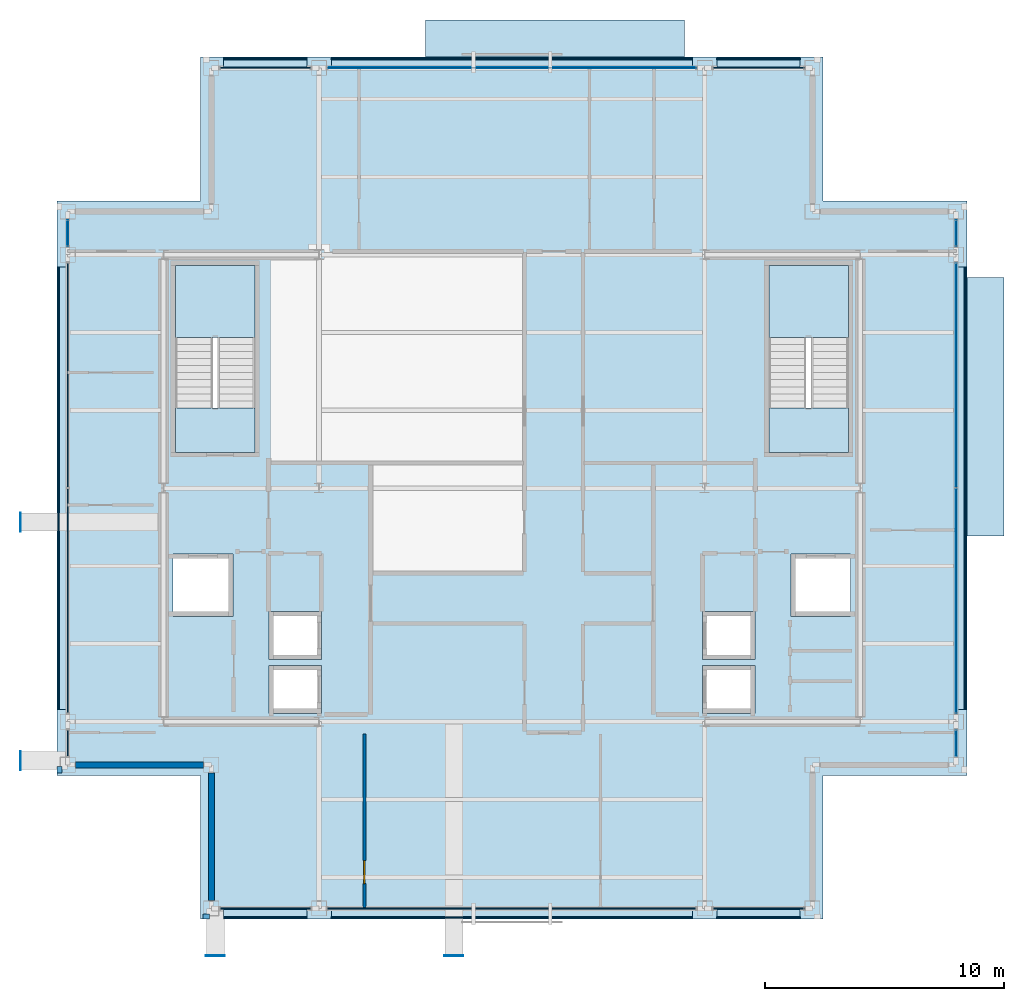
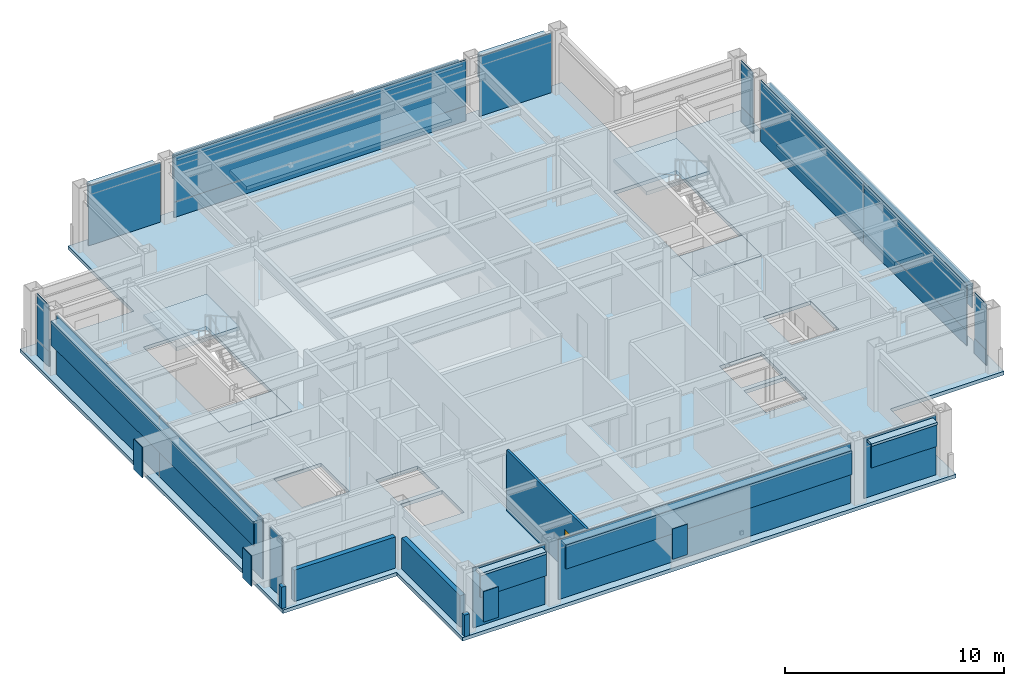
# One storey, part 16 of 20: 40 plates, 7 slabs, 5 walls, 1 door, 1 opening, 14 elements without a shape of their own.
"""IFC4 building model written with IfcOpenShell, lengths in metres."""

from ifc_helpers import new_model, si_unit, direction, frame, frame_2d, origin, origin_2d, place, context, subcontext, project, spatial, polyline, rectangle, outline, extrude, material, layer, layer_set, type_object, element, fill, aggregate, save


model = new_model("IFC4")

# Units and contexts
model_context = context("Model", 3, precision=1e-05, world=origin(), true_north=direction((0.0, 1.0)))
body_context = subcontext(model_context, "Body", "Model", "MODEL_VIEW")
ifc_project = project(units=[si_unit("LENGTHUNIT", "METRE"), si_unit("AREAUNIT", "SQUARE_METRE"), si_unit("VOLUMEUNIT", "CUBIC_METRE"), si_unit("PLANEANGLEUNIT", "RADIAN"), si_unit("MASSUNIT", "GRAM", prefix="KILO")], contexts=[model_context])

# Site, building, storey
site_placement = place(None, origin())
site = spatial("IfcSite", under=ifc_project, at=site_placement, CompositionType="ELEMENT")
building_placement = place(site_placement, origin())
building = spatial("IfcBuilding", under=site, at=building_placement, Name="Brelmoor Portico Tower", CompositionType="ELEMENT")
storey_placement = place(building_placement, frame((0.0, 0.0, 243.60009765625)))
storey = spatial("IfcBuildingStorey", under=building, at=storey_placement, Name="L64", CompositionType="ELEMENT", Elevation=243.60009765625)

# Plates
ifc_material_1 = material(Name="Steel Q355B", Category="steel")
ifc_layer_1 = layer(ifc_material_1, 0.044921875)
ifc_layer_set_1 = layer_set([ifc_layer_1], Name="Steel Q355B")
plate_type_1 = type_object("IfcPlateType", Name="PT-CAP-650", PredefinedType="SHEET", material=ifc_layer_set_1)
for number, where, z_axis, x_axis, name in (
    (1, (-12.3798828125, -19.52001953125, 1.7197265625), (0.0, 0.0, 1.0), (1.0, 0.0, 0.0), "L64 Picture-Frame Cantilever End Cap Plate PFB-01"),
    (2, (-2.419921875, -19.52001953125, 1.7197265625), (0.0, 0.0, 1.0), (1.0, 0.0, 0.0), "L64 Picture-Frame Cantilever End Cap Plate PFB-02"),
):
    element("IfcPlate", number, at=place(storey_placement, frame(where, z_axis=z_axis, x_axis=x_axis)), inside=storey, type_object=plate_type_1, Name=name, PredefinedType="SHEET", context=body_context, shape_type="SweptSolid", body=[
        extrude(rectangle(XDim=0.7900390625, YDim=0.0400390625, at=origin_2d()), origin(), (0.0, 0.0, 1.0), 1.699951171875),
    ])
for number, where, z_axis, x_axis, name in (
    (3, (-20.52001953125, -11.3798828125, 1.7197265625), (0.0, 0.0, 1.0), (1.0, 0.0, 0.0), "L64 Picture-Frame Cantilever End Cap Plate PFB-03"),
    (4, (-20.52001953125, -1.419921875, 1.7197265625), (0.0, 0.0, 1.0), (1.0, 0.0, 0.0), "L64 Picture-Frame Cantilever End Cap Plate PFB-04"),
):
    element("IfcPlate", number, at=place(storey_placement, frame(where, z_axis=z_axis, x_axis=x_axis)), inside=storey, type_object=plate_type_1, Name=name, PredefinedType="SHEET", context=body_context, shape_type="SweptSolid", body=[
        extrude(rectangle(XDim=0.0400390625, YDim=0.7900390625, at=origin_2d()), origin(), (0.0, 0.0, 1.0), 1.699951171875),
    ])

# Curtain wall, plate
ifc_material_2 = material(Name="Anodised Aluminium Alloy 6063-T6", Category="aluminium")
ifc_layer_2 = layer(ifc_material_2, 0.179931640625)
ifc_layer_set_2 = layer_set([ifc_layer_2], Name="Anodised Aluminium Alloy 6063-T6")
curtain_wall_type_1 = type_object("IfcCurtainWallType", Name="CW-TOWER-Z4", PredefinedType="NOTDEFINED", material=ifc_layer_set_2)
curtain_wall_1_placement = place(storey_placement, origin())
curtain_wall_1 = element("IfcCurtainWall", 5, at=curtain_wall_1_placement, inside=storey, type_object=curtain_wall_type_1, Name="L64 Curtain Wall CW-L64-02-2", PredefinedType="NOTDEFINED")
ifc_material_3 = material(Name="Double-Silver Low-E Insulated Glazing", Category="glass")
ifc_layer_3 = layer(ifc_material_3, 0.035888671875)
ifc_layer_set_3 = layer_set([ifc_layer_3], Name="Double-Silver Low-E Insulated Glazing")
plate_type_2 = type_object("IfcPlateType", Name="PT-CW-GLASS", PredefinedType="CURTAIN_PANEL", material=ifc_layer_set_3)
plate_1_placement = place(storey_placement, frame((0.0, 17.550048828125, 0.85009765625), z_axis=(0.0, 0.0, 1.0), x_axis=(1.0, 0.0, 0.0)))
plate_1 = element("IfcPlate", 6, at=plate_1_placement, type_object=plate_type_2, Name="CW-L64-02-2 Vision Glass Panel 00", PredefinedType="CURTAIN_PANEL", context=body_context, shape_type="SweptSolid", body=[
    extrude(rectangle(XDim=15.39990234375, YDim=0.035888671875, at=origin_2d()), origin(), (0.0, 0.0, 1.0), 2.550048828125),
])

curtain_wall_2_placement = place(storey_placement, origin())
curtain_wall_2 = element("IfcCurtainWall", 7, at=curtain_wall_2_placement, inside=storey, type_object=curtain_wall_type_1, Name="L64 Curtain Wall CW-L64-03-3", PredefinedType="NOTDEFINED")
plate_2_placement = place(storey_placement, frame((-18.550048828125, 10.64990234375, 0.85009765625), z_axis=(0.0, 0.0, 1.0), x_axis=(0.0, 1.0, 0.0)))
plate_2 = element("IfcPlate", 8, at=plate_2_placement, type_object=plate_type_2, Name="CW-L64-03-3 Vision Glass Panel 00", PredefinedType="CURTAIN_PANEL", context=body_context, shape_type="SweptSolid", body=[
    extrude(rectangle(XDim=1.10009765625, YDim=0.035888671875, at=origin_2d()), origin(), (0.0, 0.0, 1.0), 2.550048828125),
])

curtain_wall_3_placement = place(storey_placement, origin())
curtain_wall_3 = element("IfcCurtainWall", 9, at=curtain_wall_3_placement, inside=storey, type_object=curtain_wall_type_1, Name="L64 Curtain Wall CW-L64-04-1", PredefinedType="NOTDEFINED")
plate_3_placement = place(storey_placement, frame((18.550048828125, -10.64990234375, 0.85009765625), z_axis=(0.0, 0.0, 1.0), x_axis=(0.0, 1.0, 0.0)))
plate_3 = element("IfcPlate", 10, at=plate_3_placement, type_object=plate_type_2, Name="CW-L64-04-1 Vision Glass Panel 00", PredefinedType="CURTAIN_PANEL", context=body_context, shape_type="SweptSolid", body=[
    extrude(rectangle(XDim=1.10009765625, YDim=0.035888671875, at=origin_2d()), origin(), (0.0, 0.0, 1.0), 2.550048828125),
])

# Curtain wall, plates
curtain_wall_4_placement = place(storey_placement, origin())
curtain_wall_4 = element("IfcCurtainWall", 11, at=curtain_wall_4_placement, inside=storey, type_object=curtain_wall_type_1, Name="L64 Curtain Wall CW-L64-04-2", PredefinedType="NOTDEFINED")
plate_4_placement = place(storey_placement, frame((18.550048828125, -4.70751953125, 0.85009765625), z_axis=(0.0, 0.0, 1.0), x_axis=(0.0, 1.0, 0.0)))
plate_4 = element("IfcPlate", 12, at=plate_4_placement, type_object=plate_type_2, Name="CW-L64-04-2 Vision Glass Panel 00", PredefinedType="CURTAIN_PANEL", context=body_context, shape_type="SweptSolid", body=[
    extrude(rectangle(XDim=9.385009765625, YDim=0.035888671875, at=origin_2d()), origin(), (0.0, 0.0, 1.0), 2.550048828125),
])
plate_5_placement = place(storey_placement, frame((18.550048828125, 4.70751953125, 0.85009765625), z_axis=(0.0, 0.0, 1.0), x_axis=(0.0, 1.0, 0.0)))
plate_5 = element("IfcPlate", 13, at=plate_5_placement, type_object=plate_type_2, Name="CW-L64-04-2 Vision Glass Panel 01", PredefinedType="CURTAIN_PANEL", context=body_context, shape_type="SweptSolid", body=[
    extrude(rectangle(XDim=9.385009765625, YDim=0.035888671875, at=origin_2d()), origin(), (0.0, 0.0, 1.0), 2.550048828125),
])

# Curtain wall, plate
curtain_wall_5_placement = place(storey_placement, origin())
curtain_wall_5 = element("IfcCurtainWall", 14, at=curtain_wall_5_placement, inside=storey, type_object=curtain_wall_type_1, Name="L64 Curtain Wall CW-L64-04-3", PredefinedType="NOTDEFINED")
plate_6_placement = place(storey_placement, frame((18.550048828125, 10.64990234375, 0.85009765625), z_axis=(0.0, 0.0, 1.0), x_axis=(0.0, 1.0, 0.0)))
plate_6 = element("IfcPlate", 15, at=plate_6_placement, type_object=plate_type_2, Name="CW-L64-04-3 Vision Glass Panel 00", PredefinedType="CURTAIN_PANEL", context=body_context, shape_type="SweptSolid", body=[
    extrude(rectangle(XDim=1.10009765625, YDim=0.035888671875, at=origin_2d()), origin(), (0.0, 0.0, 1.0), 2.550048828125),
])

ifc_layer_4 = layer(ifc_material_2, 0.179931640625)
ifc_layer_set_4 = layer_set([ifc_layer_4], Name="Anodised Aluminium Alloy 6063-T6")
curtain_wall_type_2 = type_object("IfcCurtainWallType", Name="CW-TOWER-Z4-XB", PredefinedType="NOTDEFINED", material=ifc_layer_set_4)
curtain_wall_6_placement = place(storey_placement, origin())
curtain_wall_6 = element("IfcCurtainWall", 16, at=curtain_wall_6_placement, inside=storey, type_object=curtain_wall_type_2, Name="L64 Curtain Wall CW-L64-01-1", PredefinedType="NOTDEFINED")
ifc_material_4 = material(Name="Pale Champagne Anodised Aluminium Panel", Category="aluminium")
ifc_layer_5 = layer(ifc_material_4, 0.050048828125)
ifc_layer_set_5 = layer_set([ifc_layer_5], Name="Pale Champagne Anodised Aluminium Panel")
plate_type_3 = type_object("IfcPlateType", Name="PT-CW-SPANDREL", PredefinedType="SHEET", material=ifc_layer_set_5)
plate_7_placement = place(storey_placement, frame((-10.300048828125, -17.550048828125, 0.0), z_axis=(0.0, 0.0, 1.0), x_axis=(1.0, 0.0, 0.0)))
plate_7 = element("IfcPlate", 17, at=plate_7_placement, type_object=plate_type_3, Name="CW-L64-01-1 Spandrel Panel 00", PredefinedType="SHEET", context=body_context, shape_type="SweptSolid", body=[
    extrude(rectangle(XDim=3.800048828125, YDim=0.050048828125, at=origin_2d()), origin(), (0.0, 0.0, 1.0), 3.33740234375),
])
aggregate(curtain_wall_6, [plate_7])

curtain_wall_7_placement = place(storey_placement, origin())
curtain_wall_7 = element("IfcCurtainWall", 18, at=curtain_wall_7_placement, inside=storey, type_object=curtain_wall_type_2, Name="L64 Curtain Wall CW-L64-01-2", PredefinedType="NOTDEFINED")
plate_8_placement = place(storey_placement, frame((0.0, -17.550048828125, 0.0), z_axis=(0.0, 0.0, 1.0), x_axis=(1.0, 0.0, 0.0)))
plate_8 = element("IfcPlate", 19, at=plate_8_placement, type_object=plate_type_3, Name="CW-L64-01-2 Spandrel Panel 00", PredefinedType="SHEET", context=body_context, shape_type="SweptSolid", body=[
    extrude(rectangle(XDim=15.39990234375, YDim=0.050048828125, at=origin_2d()), origin(), (0.0, 0.0, 1.0), 3.33740234375),
])
aggregate(curtain_wall_7, [plate_8])

curtain_wall_8_placement = place(storey_placement, origin())
curtain_wall_8 = element("IfcCurtainWall", 20, at=curtain_wall_8_placement, inside=storey, type_object=curtain_wall_type_2, Name="L64 Curtain Wall CW-L64-01-3", PredefinedType="NOTDEFINED")
plate_9_placement = place(storey_placement, frame((10.300048828125, -17.550048828125, 0.0), z_axis=(0.0, 0.0, 1.0), x_axis=(1.0, 0.0, 0.0)))
plate_9 = element("IfcPlate", 21, at=plate_9_placement, type_object=plate_type_3, Name="CW-L64-01-3 Spandrel Panel 00", PredefinedType="SHEET", context=body_context, shape_type="SweptSolid", body=[
    extrude(rectangle(XDim=3.800048828125, YDim=0.050048828125, at=origin_2d()), origin(), (0.0, 0.0, 1.0), 3.33740234375),
])
aggregate(curtain_wall_8, [plate_9])

curtain_wall_9_placement = place(storey_placement, origin())
curtain_wall_9 = element("IfcCurtainWall", 22, at=curtain_wall_9_placement, inside=storey, type_object=curtain_wall_type_2, Name="L64 Curtain Wall CW-L64-02-1", PredefinedType="NOTDEFINED")
plate_10_placement = place(storey_placement, frame((-10.300048828125, 17.550048828125, 0.0), z_axis=(0.0, 0.0, 1.0), x_axis=(1.0, 0.0, 0.0)))
plate_10 = element("IfcPlate", 23, at=plate_10_placement, type_object=plate_type_3, Name="CW-L64-02-1 Spandrel Panel 00", PredefinedType="SHEET", context=body_context, shape_type="SweptSolid", body=[
    extrude(rectangle(XDim=3.800048828125, YDim=0.050048828125, at=origin_2d()), origin(), (0.0, 0.0, 1.0), 3.33740234375),
])
aggregate(curtain_wall_9, [plate_10])

# Plate
plate_11_placement = place(storey_placement, frame((0.0, 17.550048828125, -0.000244140625), z_axis=(0.0, 0.0, 1.0), x_axis=(1.0, 0.0, 0.0)))
plate_11 = element("IfcPlate", 24, at=plate_11_placement, type_object=plate_type_3, Name="CW-L64-02-2 Spandrel Panel 00", PredefinedType="SHEET", context=body_context, shape_type="SweptSolid", body=[
    extrude(rectangle(XDim=15.39990234375, YDim=0.050048828125, at=origin_2d()), origin(), (0.0, 0.0, 1.0), 0.85009765625),
])

aggregate(curtain_wall_1, [plate_11, plate_1])

# Curtain wall, plate
curtain_wall_10_placement = place(storey_placement, origin())
curtain_wall_10 = element("IfcCurtainWall", 25, at=curtain_wall_10_placement, inside=storey, type_object=curtain_wall_type_2, Name="L64 Curtain Wall CW-L64-02-3", PredefinedType="NOTDEFINED")
plate_12_placement = place(storey_placement, frame((10.300048828125, 17.550048828125, 0.0), z_axis=(0.0, 0.0, 1.0), x_axis=(1.0, 0.0, 0.0)))
plate_12 = element("IfcPlate", 26, at=plate_12_placement, type_object=plate_type_3, Name="CW-L64-02-3 Spandrel Panel 00", PredefinedType="SHEET", context=body_context, shape_type="SweptSolid", body=[
    extrude(rectangle(XDim=3.800048828125, YDim=0.050048828125, at=origin_2d()), origin(), (0.0, 0.0, 1.0), 3.33740234375),
])
aggregate(curtain_wall_10, [plate_12])

curtain_wall_11_placement = place(storey_placement, origin())
curtain_wall_11 = element("IfcCurtainWall", 27, at=curtain_wall_11_placement, inside=storey, type_object=curtain_wall_type_2, Name="L64 Curtain Wall CW-L64-03-1", PredefinedType="NOTDEFINED")
plate_13_placement = place(storey_placement, frame((-18.550048828125, -10.64990234375, 0.0), z_axis=(0.0, 0.0, 1.0), x_axis=(0.0, 1.0, 0.0)))
plate_13 = element("IfcPlate", 28, at=plate_13_placement, type_object=plate_type_3, Name="CW-L64-03-1 Spandrel Panel 00", PredefinedType="SHEET", context=body_context, shape_type="SweptSolid", body=[
    extrude(rectangle(XDim=1.10009765625, YDim=0.050048828125, at=origin_2d()), origin(), (0.0, 0.0, 1.0), 3.33740234375),
])
aggregate(curtain_wall_11, [plate_13])

# Curtain wall, plates
curtain_wall_12_placement = place(storey_placement, origin())
curtain_wall_12 = element("IfcCurtainWall", 29, at=curtain_wall_12_placement, inside=storey, type_object=curtain_wall_type_2, Name="L64 Curtain Wall CW-L64-03-2", PredefinedType="NOTDEFINED")
plate_14_placement = place(storey_placement, frame((-18.550048828125, -4.70751953125, 0.0), z_axis=(0.0, 0.0, 1.0), x_axis=(0.0, 1.0, 0.0)))
plate_14 = element("IfcPlate", 30, at=plate_14_placement, type_object=plate_type_3, Name="CW-L64-03-2 Spandrel Panel 00", PredefinedType="SHEET", context=body_context, shape_type="SweptSolid", body=[
    extrude(rectangle(XDim=9.385009765625, YDim=0.050048828125, at=origin_2d()), origin(), (0.0, 0.0, 1.0), 3.33740234375),
])
plate_15_placement = place(storey_placement, frame((-18.550048828125, 4.70751953125, 0.0), z_axis=(0.0, 0.0, 1.0), x_axis=(0.0, 1.0, 0.0)))
plate_15 = element("IfcPlate", 31, at=plate_15_placement, type_object=plate_type_3, Name="CW-L64-03-2 Spandrel Panel 01", PredefinedType="SHEET", context=body_context, shape_type="SweptSolid", body=[
    extrude(rectangle(XDim=9.385009765625, YDim=0.050048828125, at=origin_2d()), origin(), (0.0, 0.0, 1.0), 3.33740234375),
])
aggregate(curtain_wall_12, [plate_14, plate_15])

# Plate
plate_16_placement = place(storey_placement, frame((-18.550048828125, 10.64990234375, -0.000244140625), z_axis=(0.0, 0.0, 1.0), x_axis=(0.0, 1.0, 0.0)))
plate_16 = element("IfcPlate", 32, at=plate_16_placement, type_object=plate_type_3, Name="CW-L64-03-3 Spandrel Panel 00", PredefinedType="SHEET", context=body_context, shape_type="SweptSolid", body=[
    extrude(rectangle(XDim=1.10009765625, YDim=0.050048828125, at=origin_2d()), origin(), (0.0, 0.0, 1.0), 0.85009765625),
])

aggregate(curtain_wall_2, [plate_16, plate_2])

plate_17_placement = place(storey_placement, frame((18.550048828125, -10.64990234375, -0.000244140625), z_axis=(0.0, 0.0, 1.0), x_axis=(0.0, 1.0, 0.0)))
plate_17 = element("IfcPlate", 33, at=plate_17_placement, type_object=plate_type_3, Name="CW-L64-04-1 Spandrel Panel 00", PredefinedType="SHEET", context=body_context, shape_type="SweptSolid", body=[
    extrude(rectangle(XDim=1.10009765625, YDim=0.050048828125, at=origin_2d()), origin(), (0.0, 0.0, 1.0), 0.85009765625),
])

aggregate(curtain_wall_3, [plate_17, plate_3])

plate_18_placement = place(storey_placement, frame((18.550048828125, -4.70751953125, -0.000244140625), z_axis=(0.0, 0.0, 1.0), x_axis=(0.0, 1.0, 0.0)))
plate_18 = element("IfcPlate", 34, at=plate_18_placement, type_object=plate_type_3, Name="CW-L64-04-2 Spandrel Panel 00", PredefinedType="SHEET", context=body_context, shape_type="SweptSolid", body=[
    extrude(rectangle(XDim=9.385009765625, YDim=0.050048828125, at=origin_2d()), origin(), (0.0, 0.0, 1.0), 0.85009765625),
])

plate_19_placement = place(storey_placement, frame((18.550048828125, 4.70751953125, -0.000244140625), z_axis=(0.0, 0.0, 1.0), x_axis=(0.0, 1.0, 0.0)))
plate_19 = element("IfcPlate", 35, at=plate_19_placement, type_object=plate_type_3, Name="CW-L64-04-2 Spandrel Panel 01", PredefinedType="SHEET", context=body_context, shape_type="SweptSolid", body=[
    extrude(rectangle(XDim=9.385009765625, YDim=0.050048828125, at=origin_2d()), origin(), (0.0, 0.0, 1.0), 0.85009765625),
])

aggregate(curtain_wall_4, [plate_18, plate_4, plate_19, plate_5])

plate_20_placement = place(storey_placement, frame((18.550048828125, 10.64990234375, -0.000244140625), z_axis=(0.0, 0.0, 1.0), x_axis=(0.0, 1.0, 0.0)))
plate_20 = element("IfcPlate", 36, at=plate_20_placement, type_object=plate_type_3, Name="CW-L64-04-3 Spandrel Panel 00", PredefinedType="SHEET", context=body_context, shape_type="SweptSolid", body=[
    extrude(rectangle(XDim=1.10009765625, YDim=0.050048828125, at=origin_2d()), origin(), (0.0, 0.0, 1.0), 0.85009765625),
])

aggregate(curtain_wall_5, [plate_20, plate_6])

# Plates
ifc_material_5 = material(Name="Powder-Coated Aluminium Shuttered Jalousie Louvre", Category="aluminium")
ifc_layer_6 = layer(ifc_material_5, 0.06005859375)
ifc_layer_set_6 = layer_set([ifc_layer_6], Name="Powder-Coated Aluminium Shuttered Jalousie Louvre")
plate_type_4 = type_object("IfcPlateType", Name="PT-JALOUSIE-SHUTTER", PredefinedType="SHEET", material=ifc_layer_set_6)
plate_21_placement = place(storey_placement, frame((-10.300048828125, -17.929931640625, 1.8740234375), z_axis=(0.0, 0.0, 1.0), x_axis=(1.0, 0.0, 0.0)))
element("IfcPlate", 37, at=plate_21_placement, inside=storey, type_object=plate_type_4, Name="CW-L64-01-1 Perforated Jalousie Solar Screen", PredefinedType="SHEET", context=body_context, shape_type="SweptSolid", body=[
    extrude(rectangle(XDim=3.469970703125, YDim=0.06494140625, at=origin_2d()), origin(), (0.0, 0.0, 1.0), 1.325927734375),
])
plate_22_placement = place(storey_placement, frame((0.0, -17.929931640625, 1.8740234375), z_axis=(0.0, 0.0, 1.0), x_axis=(1.0, 0.0, 0.0)))
element("IfcPlate", 38, at=plate_22_placement, inside=storey, type_object=plate_type_4, Name="CW-L64-01-2 Perforated Jalousie Solar Screen", PredefinedType="SHEET", context=body_context, shape_type="SweptSolid", body=[
    extrude(rectangle(XDim=15.070068359375, YDim=0.06494140625, at=origin_2d()), origin(), (0.0, 0.0, 1.0), 1.325927734375),
])
for number, where, z_axis, x_axis, name in (
    (39, (10.300048828125, -17.929931640625, 1.8740234375), (0.0, 0.0, 1.0), (1.0, 0.0, 0.0), "CW-L64-01-3 Perforated Jalousie Solar Screen"),
    (40, (-10.300048828125, 17.929931640625, 1.8740234375), (0.0, 0.0, 1.0), (1.0, 0.0, 0.0), "CW-L64-02-1 Perforated Jalousie Solar Screen"),
):
    element("IfcPlate", number, at=place(storey_placement, frame(where, z_axis=z_axis, x_axis=x_axis)), inside=storey, type_object=plate_type_4, Name=name, PredefinedType="SHEET", context=body_context, shape_type="SweptSolid", body=[
        extrude(rectangle(XDim=3.469970703125, YDim=0.06494140625, at=origin_2d()), origin(), (0.0, 0.0, 1.0), 1.325927734375),
    ])
plate_23_placement = place(storey_placement, frame((0.0, 17.929931640625, 1.8740234375), z_axis=(0.0, 0.0, 1.0), x_axis=(1.0, 0.0, 0.0)))
element("IfcPlate", 41, at=plate_23_placement, inside=storey, type_object=plate_type_4, Name="CW-L64-02-2 Perforated Jalousie Solar Screen", PredefinedType="SHEET", context=body_context, shape_type="SweptSolid", body=[
    extrude(rectangle(XDim=15.070068359375, YDim=0.06494140625, at=origin_2d()), origin(), (0.0, 0.0, 1.0), 1.325927734375),
])
plate_24_placement = place(storey_placement, frame((10.300048828125, 17.929931640625, 1.8740234375), z_axis=(0.0, 0.0, 1.0), x_axis=(1.0, 0.0, 0.0)))
element("IfcPlate", 42, at=plate_24_placement, inside=storey, type_object=plate_type_4, Name="CW-L64-02-3 Perforated Jalousie Solar Screen", PredefinedType="SHEET", context=body_context, shape_type="SweptSolid", body=[
    extrude(rectangle(XDim=3.469970703125, YDim=0.06494140625, at=origin_2d()), origin(), (0.0, 0.0, 1.0), 1.325927734375),
])
for number, where, z_axis, x_axis, name in (
    (43, (-18.929931640625, 0.0, 1.8740234375), (0.0, 0.0, 1.0), (0.0, 1.0, 0.0), "CW-L64-03-2 Perforated Jalousie Solar Screen"),
    (44, (18.929931640625, 0.0, 1.8740234375), (0.0, 0.0, 1.0), (0.0, 1.0, 0.0), "CW-L64-04-2 Perforated Jalousie Solar Screen"),
):
    element("IfcPlate", number, at=place(storey_placement, frame(where, z_axis=z_axis, x_axis=x_axis)), inside=storey, type_object=plate_type_4, Name=name, PredefinedType="SHEET", context=body_context, shape_type="SweptSolid", body=[
        extrude(rectangle(XDim=18.469970703125, YDim=0.06494140625, at=origin_2d()), origin(), (0.0, 0.0, 1.0), 1.325927734375),
    ])
ifc_material_6 = material(Name="Pale Champagne Perforated Aluminium Solar Screen", Category="aluminium")
ifc_layer_7 = layer(ifc_material_6, 0.054931640625)
ifc_layer_set_7 = layer_set([ifc_layer_7], Name="Pale Champagne Perforated Aluminium Solar Screen")
plate_type_5 = type_object("IfcPlateType", Name="PT-SOLAR-LOUVRE", PredefinedType="SHEET", material=ifc_layer_set_7)
plate_25_placement = place(storey_placement, frame((-10.300048828125, -17.760009765625, 3.08984375), z_axis=(0.0, 0.0, 1.0), x_axis=(1.0, 0.0, 0.0)))
element("IfcPlate", 45, at=plate_25_placement, inside=storey, type_object=plate_type_5, Name="CW-L64-01-1 Caribbean Brise-Soleil Solar Screen", PredefinedType="SHEET", context=body_context, shape_type="SweptSolid", body=[
    extrude(rectangle(XDim=3.469970703125, YDim=0.4599609375, at=origin_2d()), origin(), (0.0, 0.0, 1.0), 0.139892578125),
])
plate_26_placement = place(storey_placement, frame((0.0, -17.760009765625, 3.08984375), z_axis=(0.0, 0.0, 1.0), x_axis=(1.0, 0.0, 0.0)))
element("IfcPlate", 46, at=plate_26_placement, inside=storey, type_object=plate_type_5, Name="CW-L64-01-2 Caribbean Brise-Soleil Solar Screen", PredefinedType="SHEET", context=body_context, shape_type="SweptSolid", body=[
    extrude(rectangle(XDim=15.070068359375, YDim=0.4599609375, at=origin_2d()), origin(), (0.0, 0.0, 1.0), 0.139892578125),
])
for number, where, z_axis, x_axis, name in (
    (47, (10.300048828125, -17.760009765625, 3.08984375), (0.0, 0.0, 1.0), (1.0, 0.0, 0.0), "CW-L64-01-3 Caribbean Brise-Soleil Solar Screen"),
    (48, (-10.300048828125, 17.760009765625, 3.08984375), (0.0, 0.0, 1.0), (1.0, 0.0, 0.0), "CW-L64-02-1 Caribbean Brise-Soleil Solar Screen"),
):
    element("IfcPlate", number, at=place(storey_placement, frame(where, z_axis=z_axis, x_axis=x_axis)), inside=storey, type_object=plate_type_5, Name=name, PredefinedType="SHEET", context=body_context, shape_type="SweptSolid", body=[
        extrude(rectangle(XDim=3.469970703125, YDim=0.4599609375, at=origin_2d()), origin(), (0.0, 0.0, 1.0), 0.139892578125),
    ])
plate_27_placement = place(storey_placement, frame((0.0, 17.760009765625, 3.08984375), z_axis=(0.0, 0.0, 1.0), x_axis=(1.0, 0.0, 0.0)))
element("IfcPlate", 49, at=plate_27_placement, inside=storey, type_object=plate_type_5, Name="CW-L64-02-2 Caribbean Brise-Soleil Solar Screen", PredefinedType="SHEET", context=body_context, shape_type="SweptSolid", body=[
    extrude(rectangle(XDim=15.070068359375, YDim=0.4599609375, at=origin_2d()), origin(), (0.0, 0.0, 1.0), 0.139892578125),
])
plate_28_placement = place(storey_placement, frame((10.300048828125, 17.760009765625, 3.08984375), z_axis=(0.0, 0.0, 1.0), x_axis=(1.0, 0.0, 0.0)))
element("IfcPlate", 50, at=plate_28_placement, inside=storey, type_object=plate_type_5, Name="CW-L64-02-3 Caribbean Brise-Soleil Solar Screen", PredefinedType="SHEET", context=body_context, shape_type="SweptSolid", body=[
    extrude(rectangle(XDim=3.469970703125, YDim=0.4599609375, at=origin_2d()), origin(), (0.0, 0.0, 1.0), 0.139892578125),
])
for number, where, z_axis, x_axis, name in (
    (51, (-18.760009765625, 0.0, 3.08984375), (0.0, 0.0, 1.0), (0.0, 1.0, 0.0), "CW-L64-03-2 Caribbean Brise-Soleil Solar Screen"),
    (52, (18.760009765625, 0.0, 3.08984375), (0.0, 0.0, 1.0), (0.0, 1.0, 0.0), "CW-L64-04-2 Caribbean Brise-Soleil Solar Screen"),
):
    element("IfcPlate", number, at=place(storey_placement, frame(where, z_axis=z_axis, x_axis=x_axis)), inside=storey, type_object=plate_type_5, Name=name, PredefinedType="SHEET", context=body_context, shape_type="SweptSolid", body=[
        extrude(rectangle(XDim=18.469970703125, YDim=0.4599609375, at=origin_2d()), origin(), (0.0, 0.0, 1.0), 0.139892578125),
    ])

# Slab
ifc_material_7 = material(Name="Concrete C40", Category="concrete")
ifc_layer_8 = layer(ifc_material_7, 0.199951171875)
ifc_layer_set_8 = layer_set([ifc_layer_8], Name="Concrete C40")
slab_type_1 = type_object("IfcSlabType", Name="SL-FLOOR-200", PredefinedType="FLOOR", material=ifc_layer_set_8)
slab_1_placement = place(storey_placement, frame((0.0, 0.0, -0.2001953125)))
element("IfcSlab", 53, at=slab_1_placement, inside=storey, type_object=slab_type_1, Name="L64 Main Structural Floor Slab", PredefinedType="FLOOR", context=body_context, shape_type="SweptSolid", body=[
    extrude(outline(polyline([(-13.0, -18.0), (13.0, -18.0), (13.0, -12.0), (19.0, -12.0), (19.0, 12.0), (13.0, 12.0), (13.0, 18.0), (-13.0, 18.0), (-13.0, 12.0), (-19.0, 12.0), (-19.0, -12.0), (-13.0, -12.0), (-13.0, -18.0)]), holes=[polyline([(-10.72998046875, 1.5), (-10.72998046875, 9.300048828125), (-14.050048828125, 9.300048828125), (-14.050048828125, 1.5), (-10.72998046875, 1.5)]), polyline([(14.050048828125, 1.5), (14.050048828125, 9.300048828125), (10.72998046875, 9.300048828125), (10.72998046875, 1.5), (14.050048828125, 1.5)]), polyline([(-10.14990234375, -9.39990234375), (-7.949951171875, -9.39990234375), (-7.949951171875, -7.39990234375), (-10.14990234375, -7.39990234375), (-10.14990234375, -9.39990234375)]), polyline([(-10.14990234375, -7.14990234375), (-7.949951171875, -7.14990234375), (-7.949951171875, -5.14990234375), (-10.14990234375, -5.14990234375), (-10.14990234375, -7.14990234375)]), polyline([(7.949951171875, -9.39990234375), (10.14990234375, -9.39990234375), (10.14990234375, -7.39990234375), (7.949951171875, -7.39990234375), (7.949951171875, -9.39990234375)]), polyline([(7.949951171875, -7.14990234375), (10.14990234375, -7.14990234375), (10.14990234375, -5.14990234375), (7.949951171875, -5.14990234375), (7.949951171875, -7.14990234375)]), polyline([(-14.14990234375, -5.35009765625), (-11.64990234375, -5.35009765625), (-11.64990234375, -2.75), (-14.14990234375, -2.75), (-14.14990234375, -5.35009765625)]), polyline([(11.64990234375, -5.35009765625), (14.14990234375, -5.35009765625), (14.14990234375, -2.75), (11.64990234375, -2.75), (11.64990234375, -5.35009765625)])]), origin(), (0.0, 0.0, 1.0), 0.2001953125),
])

# Stair, slab
stair_type_1 = type_object("IfcStairType", Name="ST-CORE-W", PredefinedType="HALF_TURN_STAIR", material=ifc_material_7)
stair_1_placement = place(storey_placement, origin())
stair_1 = element("IfcStair", 54, at=stair_1_placement, inside=storey, type_object=stair_type_1, Name="L64 Protected Core Exit Stair ST-W", PredefinedType="HALF_TURN_STAIR")
ifc_layer_9 = layer(ifc_material_7, 0.179931640625)
ifc_layer_set_9 = layer_set([ifc_layer_9], Name="Concrete C40")
slab_type_2 = type_object("IfcSlabType", Name="SL-LANDING-180", PredefinedType="LANDING", material=ifc_layer_set_9)
slab_2_placement = place(storey_placement, frame((0.0, 0.0, 1.599853515625)))
slab_2 = element("IfcSlab", 55, at=slab_2_placement, type_object=slab_type_2, Name="ST-W landing 1", PredefinedType="LANDING", context=body_context, shape_type="SweptSolid", body=[
    extrude(outline(polyline([(-10.72998046875, 6.300048828125), (-10.72998046875, 9.300048828125), (-14.050048828125, 9.300048828125), (-14.050048828125, 6.300048828125), (-10.72998046875, 6.300048828125)])), origin(), (0.0, 0.0, 1.0), 0.199951171875),
])
aggregate(stair_1, [slab_2])

stair_type_2 = type_object("IfcStairType", Name="ST-CORE-E", PredefinedType="HALF_TURN_STAIR", material=ifc_material_7)
stair_2_placement = place(storey_placement, origin())
stair_2 = element("IfcStair", 56, at=stair_2_placement, inside=storey, type_object=stair_type_2, Name="L64 Protected Core Exit Stair ST-E", PredefinedType="HALF_TURN_STAIR")
slab_3_placement = place(storey_placement, frame((0.0, 0.0, 1.599853515625)))
slab_3 = element("IfcSlab", 57, at=slab_3_placement, type_object=slab_type_2, Name="ST-E landing 1", PredefinedType="LANDING", context=body_context, shape_type="SweptSolid", body=[
    extrude(outline(polyline([(14.050048828125, 6.300048828125), (14.050048828125, 9.300048828125), (10.72998046875, 9.300048828125), (10.72998046875, 6.300048828125), (14.050048828125, 6.300048828125)])), origin(), (0.0, 0.0, 1.0), 0.199951171875),
])
aggregate(stair_2, [slab_3])

# Slabs
ifc_layer_10 = layer(ifc_material_7, 0.199951171875)
ifc_layer_set_10 = layer_set([ifc_layer_10], Name="Concrete C40")
slab_type_3 = type_object("IfcSlabType", Name="SL-ROOF-200", PredefinedType="ROOF", material=ifc_layer_set_10)
slab_4_placement = place(storey_placement, frame((0.0, 0.0, -0.2001953125)))
element("IfcSlab", 58, at=slab_4_placement, inside=storey, type_object=slab_type_3, Name="L64 Picture-Frame Top Hood Slab N", PredefinedType="ROOF", context=body_context, shape_type="SweptSolid", body=[
    extrude(outline(polyline([(-3.60009765625, 18.0), (7.199951171875, 18.0), (7.199951171875, 19.550048828125), (-3.60009765625, 19.550048828125), (-3.60009765625, 18.0)])), origin(), (0.0, 0.0, 1.0), 0.2001953125),
])
slab_5_placement = place(storey_placement, frame((0.0, 0.0, -0.2001953125)))
element("IfcSlab", 59, at=slab_5_placement, inside=storey, type_object=slab_type_3, Name="L64 Picture-Frame Top Hood Slab E", PredefinedType="ROOF", context=body_context, shape_type="SweptSolid", body=[
    extrude(outline(polyline([(19.0, -2.0), (20.550048828125, -2.0), (20.550048828125, 8.800048828125), (19.0, 8.800048828125), (19.0, -2.0)])), origin(), (0.0, 0.0, 1.0), 0.2001953125),
])
ifc_layer_11 = layer(ifc_material_7, 0.199951171875)
ifc_layer_set_11 = layer_set([ifc_layer_11], Name="Concrete C40")
slab_type_4 = type_object("IfcSlabType", Name="SL-STAIR-FL200", PredefinedType="LANDING", material=ifc_layer_set_11)
slab_6_placement = place(storey_placement, frame((0.0, 0.0, -0.2001953125)))
element("IfcSlab", 60, at=slab_6_placement, inside=storey, type_object=slab_type_4, Name="L64 ST-W Structural Floor Landing Slab", PredefinedType="LANDING", context=body_context, shape_type="SweptSolid", body=[
    extrude(outline(polyline([(-10.72998046875, 1.5), (-10.72998046875, 3.35009765625), (-14.050048828125, 3.35009765625), (-14.050048828125, 1.5), (-10.72998046875, 1.5)])), origin(), (0.0, 0.0, 1.0), 0.2001953125),
])
slab_7_placement = place(storey_placement, frame((0.0, 0.0, -0.2001953125)))
element("IfcSlab", 61, at=slab_7_placement, inside=storey, type_object=slab_type_4, Name="L64 ST-E Structural Floor Landing Slab", PredefinedType="LANDING", context=body_context, shape_type="SweptSolid", body=[
    extrude(outline(polyline([(14.050048828125, 1.5), (14.050048828125, 3.35009765625), (10.72998046875, 3.35009765625), (10.72998046875, 1.5), (14.050048828125, 1.5)])), origin(), (0.0, 0.0, 1.0), 0.2001953125),
])

# Walls
ifc_material_8 = material(Name="Precast Concrete C40 Insulated Facade Wall", Category="concrete")
ifc_layer_12 = layer(ifc_material_8, 0.25)
ifc_layer_set_12 = layer_set([ifc_layer_12], Name="Precast Concrete C40 Insulated Facade Wall")
wall_type_1 = type_object("IfcWallType", Name="WL-EXT-250", PredefinedType="STANDARD", material=ifc_layer_set_12)
for number, where, z_axis, x_axis, name in (
    (62, (-18.215087890625, -11.550048828125, 0.0), (0.0, 0.0, 1.0), (1.0, 0.0, 0.0), "L64 Corner Notch Facade Wall NSWH1"),
    (63, (-12.550048828125, -17.215087890625, 0.0), (0.0, 0.0, 1.0), (0.0, 1.0, 0.0), "L64 Corner Notch Facade Wall NSWV1"),
):
    element("IfcWall", number, at=place(storey_placement, frame(where, z_axis=z_axis, x_axis=x_axis)), inside=storey, type_object=wall_type_1, Name=name, PredefinedType="STANDARD", context=body_context, shape_type="SweptSolid", body=[
        extrude(rectangle(XDim=5.330078125, YDim=0.25, at=frame_2d((2.6650390625, 0.0))), origin(), (0.0, 0.0, 1.0), 1.739990234375),
    ])
ifc_material_9 = material(Name="Concrete C40 Parapet Upstand", Category="concrete")
ifc_layer_13 = layer(ifc_material_9, 0.219970703125)
ifc_layer_set_13 = layer_set([ifc_layer_13], Name="Concrete C40 Parapet Upstand")
wall_type_2 = type_object("IfcWallType", Name="WL-PARAPET-220", PredefinedType="PARAPET", material=ifc_layer_set_13)
for number, where, z_axis, x_axis, name in (
    (64, (-12.889892578125, -17.889892578125, 0.0), (0.0, 0.0, 1.0), (1.0, 0.0, 0.0), "L64 Chamfer Vertex Parapet Pier SW1"),
    (65, (-18.889892578125, -11.889892578125, 0.0), (0.0, 0.0, 1.0), (0.0, 1.0, 0.0), "L64 Chamfer Vertex Parapet Pier SW2"),
):
    element("IfcWall", number, at=place(storey_placement, frame(where, z_axis=z_axis, x_axis=x_axis)), inside=storey, type_object=wall_type_2, Name=name, PredefinedType="PARAPET", context=body_context, shape_type="SweptSolid", body=[
        extrude(rectangle(XDim=0.269775390625, YDim=0.219970703125, at=frame_2d((0.134765625, 0.0))), origin(), (0.0, 0.0, 1.0), 1.199951171875),
    ])

# Wall, opening, door
ifc_material_10 = material(Name="Lightweight Gypsum Office Partition", Category="gypsum")
ifc_layer_14 = layer(ifc_material_10, 0.1201171875)
ifc_layer_set_14 = layer_set([ifc_layer_14], Name="Lightweight Gypsum Office Partition")
wall_type_3 = type_object("IfcWallType", Name="WL-PART-120", PredefinedType="PARTITIONING", material=ifc_layer_set_14)
wall_placement = place(storey_placement, frame((-6.161376953125, -17.56005859375, 0.0), z_axis=(0.0, 0.0, 1.0), x_axis=(0.0, 1.0, 0.0)))
wall = element("IfcWall", 66, at=wall_placement, inside=storey, type_object=wall_type_3, Name="L64 South Suite Partition 1", PredefinedType="PARTITIONING", context=body_context, shape_type="SweptSolid", body=[
    extrude(rectangle(XDim=7.2900390625, YDim=0.1201171875, at=frame_2d((3.64501953125, 0.0))), origin(), (0.0, 0.0, 1.0), 3.39990234375),
])
opening_placement = place(wall_placement, frame((1.050048828125, 0.0, 0.0)))
opening = element("IfcOpeningElement", 67, at=opening_placement, cuts=wall, Name="Opening D-IN2", PredefinedType="OPENING", context=body_context, shape_type="SweptSolid", body=[
    extrude(rectangle(XDim=0.9599609375, YDim=2.179931640625, at=frame_2d((0.47998046875, 1.08984375))), frame((0.0, 0.070068359375, 0.0), z_axis=(0.0, -1.0, 0.0), x_axis=(1.0, 0.0, 0.0)), (0.0, 0.0, 1.0), 0.14013671875),
])
ifc_material_11 = material(Name="Lacquered Timber Suite Door", Category="wood")
door_type = type_object("IfcDoorType", Name="DR-INT-950", OperationType="NOTDEFINED", PredefinedType="DOOR", material=ifc_material_11)
door_placement = place(opening_placement, origin())
door = element("IfcDoor", 68, at=door_placement, inside=storey, type_object=door_type, Name="D-2656 L64 South Suite Connecting Door 1", OperationType="SINGLE_SWING_RIGHT", OverallHeight=2.179931640625, OverallWidth=0.9599609375, PredefinedType="DOOR", context=body_context, shape_type="SweptSolid", body=[
    extrude(rectangle(XDim=0.9599609375, YDim=2.179931640625, at=frame_2d((0.47998046875, 1.08984375))), frame((0.0, 0.02490234375, 0.0), z_axis=(0.0, -1.0, 0.0), x_axis=(1.0, 0.0, 0.0)), (0.0, 0.0, 1.0), 0.050048828125),
])
fill(opening, door)

save(model, "model.ifc")
